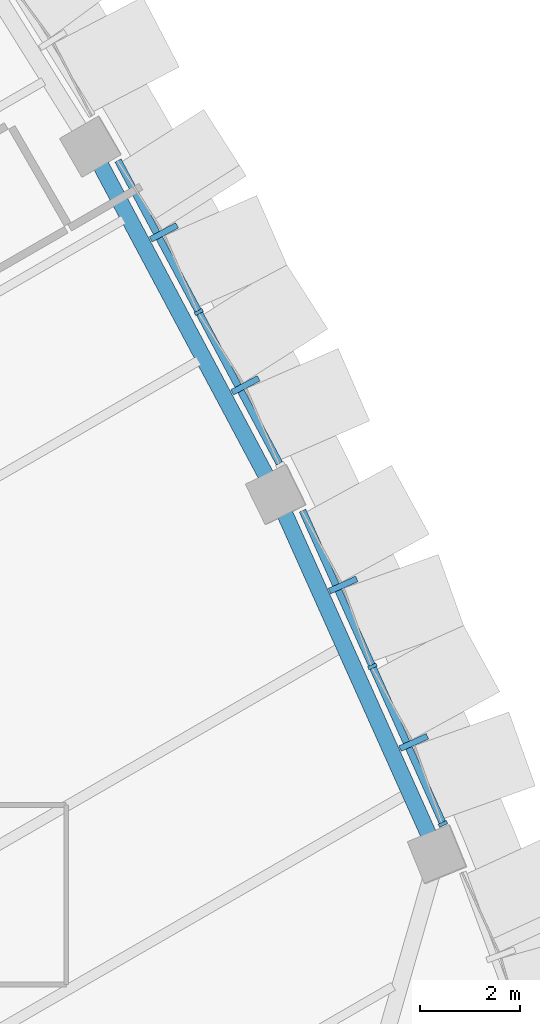
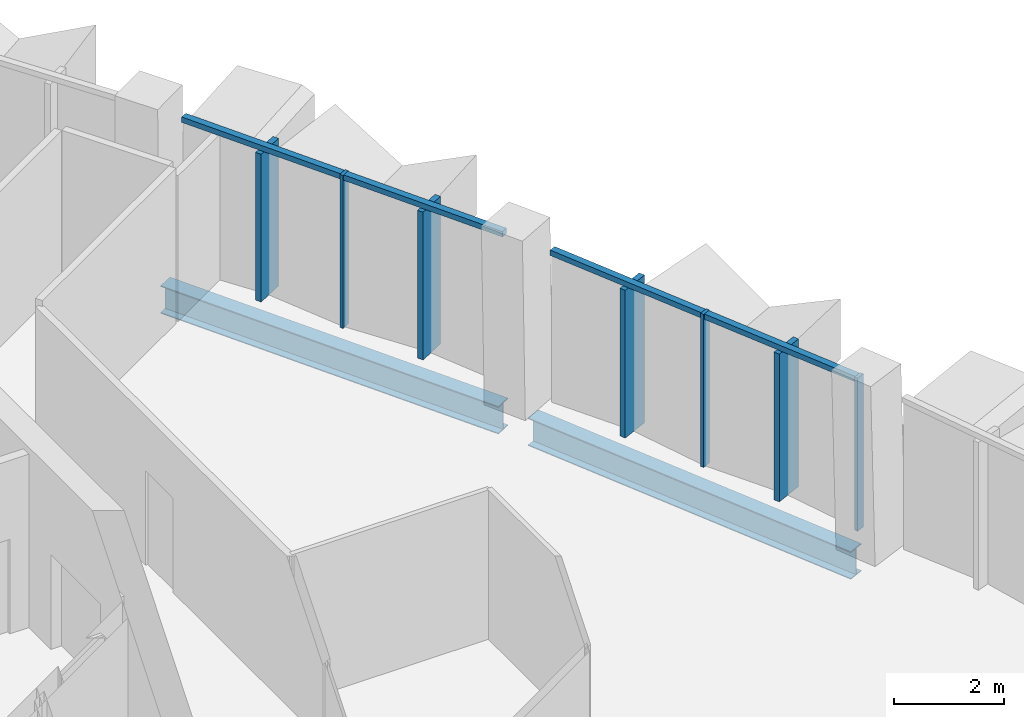
# One storey, part 5 of 22: 11 members, 2 beams, 2 elements without a shape of their own.
"""IFC4 building model written with IfcOpenShell, lengths in metres."""

import ifcopenshell
import ifcopenshell.guid

model = None  # the IFC model being written
_history = None  # IfcOwnerHistory: only IFC2X3 demands one
_inside = {}  # id of a spatial element -> (the spatial element, [elements in it])
_under = {}  # id of a project, library or spatial element -> (it, [spatial elements below it])
_declared = {}  # id of a project -> (the project, [libraries it declares])
_typed = {}  # id of a type object -> (the type object, [elements of that type])
_made_of = {}  # id of a material, layer set ... -> (it, [elements and type objects made of it])


def new_model(schema):
    """Start an empty IFC model of exactly this schema.

    Asked for "IFC4X3", IfcOpenShell would pick the latest addendum, in which some entities
    have other attributes; the version numbers below select the first issue.
    IFC2X3 requires an IfcOwnerHistory on every rooted entity: one is made here for all.
    """
    global model, _history
    if schema == "IFC4X3":
        model = ifcopenshell.file(schema_version=(4, 3, 0, 0))
    else:
        model = ifcopenshell.file(schema=schema)
    _inside.clear()
    _under.clear()
    _declared.clear()
    _typed.clear()
    _made_of.clear()
    _history = None
    if model.schema == "IFC2X3":
        org = make("IfcOrganization", Name="unknown")
        user = make(
            "IfcPersonAndOrganization",
            ThePerson=make("IfcPerson", FamilyName="unknown"),
            TheOrganization=org,
        )
        app = make(
            "IfcApplication",
            ApplicationDeveloper=org,
            Version="unknown",
            ApplicationFullName="unknown",
            ApplicationIdentifier="unknown",
        )
        _history = make(
            "IfcOwnerHistory",
            OwningUser=user,
            OwningApplication=app,
            ChangeAction="ADDED",
            CreationDate=0,
        )
    return model


def make(cls, **values):
    """One entity of the class cls with the attributes given. An attribute that is None is left unset."""
    return model.create_entity(
        cls, **{name: value for name, value in values.items() if value is not None}
    )


def rooted(cls, **values):
    """An entity with a GlobalId (a new one), such as an element, a storey or a relation."""
    return make(cls, GlobalId=ifcopenshell.guid.new(), OwnerHistory=_history, **values)


def si_unit(unit_type, name, prefix=None):
    """IfcSIUnit, for example si_unit("LENGTHUNIT", "METRE", prefix="MILLI")."""
    return make("IfcSIUnit", UnitType=unit_type, Prefix=prefix, Name=name)


def assignment(units):
    """IfcUnitAssignment: the units of a project."""
    return None if units is None else make("IfcUnitAssignment", Units=units)


def point(xyz):
    """IfcCartesianPoint."""
    return None if xyz is None else make("IfcCartesianPoint", Coordinates=xyz)


def direction(xyz):
    """IfcDirection."""
    return None if xyz is None else make("IfcDirection", DirectionRatios=xyz)


def frame(location, z_axis=None, x_axis=None):
    """IfcAxis2Placement3D, a coordinate frame: its origin and axes. An axis left out is left unset."""
    return make(
        "IfcAxis2Placement3D",
        Location=point(location),
        Axis=direction(z_axis),
        RefDirection=direction(x_axis),
    )


def frame_2d(location, x_axis=None):
    """IfcAxis2Placement2D, a coordinate frame in the plane: its origin and x axis."""
    return make(
        "IfcAxis2Placement2D", Location=point(location), RefDirection=direction(x_axis)
    )


def origin():
    """The frame at (0, 0, 0) with its axes left unset."""
    return frame((0.0, 0.0, 0.0))


def origin_2d():
    """The frame at (0, 0) in the plane with its x axis left unset."""
    return frame_2d((0.0, 0.0))


def place(relative_to, where):
    """IfcLocalPlacement: puts the frame where relative to a parent placement (None: the world)."""
    return make(
        "IfcLocalPlacement", PlacementRelTo=relative_to, RelativePlacement=where
    )


def context(
    kind, dimensions, precision=None, world=None, true_north=None, identifier=None
):
    """IfcGeometricRepresentationContext, for example the 3D "Model" context."""
    return make(
        "IfcGeometricRepresentationContext",
        ContextIdentifier=identifier,
        ContextType=kind,
        CoordinateSpaceDimension=dimensions,
        Precision=precision,
        WorldCoordinateSystem=world,
        TrueNorth=true_north,
    )


def subcontext(parent, identifier, kind, view, scale=None):
    """IfcGeometricRepresentationSubContext, for example "Body" below "Model"."""
    return make(
        "IfcGeometricRepresentationSubContext",
        ContextIdentifier=identifier,
        ContextType=kind,
        ParentContext=parent,
        TargetScale=scale,
        TargetView=view,
    )


def project(units=None, contexts=None):
    """IfcProject with its units and contexts."""
    return rooted(
        "IfcProject",
        Name="project",
        RepresentationContexts=contexts,
        UnitsInContext=assignment(units),
    )


def spatial(cls, under=None, at=None, **own):
    """A site, building, storey or space (cls), placed at a placement, below another one or the project."""
    s = rooted(cls, ObjectPlacement=at, **own)
    if under is not None:
        _under.setdefault(under.id(), (under, []))[1].append(s)
    return s


def profile(cls, at=None, kind="AREA", **sizes):
    """A parametric profile (cls). Its sizes go by their IFC names, for example OverallWidth=200.0."""
    return make(cls, ProfileType=kind, Position=at, **sizes)


def rectangle(**sizes):
    """IfcRectangleProfileDef."""
    return profile("IfcRectangleProfileDef", **sizes)


def i_section(**sizes):
    """IfcIShapeProfileDef."""
    return profile("IfcIShapeProfileDef", **sizes)


def extrude(swept, where, along, depth):
    """IfcExtrudedAreaSolid: the profile swept, set in the frame where, extruded along a direction by depth."""
    return make(
        "IfcExtrudedAreaSolid",
        SweptArea=swept,
        Position=where,
        ExtrudedDirection=direction(along),
        Depth=depth,
    )


def shape(context_of_items, identifier, shape_type, items):
    """IfcShapeRepresentation: the items that make up one representation, for example the "Body"."""
    return make(
        "IfcShapeRepresentation",
        ContextOfItems=context_of_items,
        RepresentationIdentifier=identifier,
        RepresentationType=shape_type,
        Items=items,
    )


def material(Name=None, Category=None):
    """IfcMaterial."""
    return make("IfcMaterial", Name=Name, Category=Category)


def layer(
    of_material, thickness, ventilated=None, Name=None, Category=None, Priority=None
):
    """IfcMaterialLayer: one layer of a wall or slab, of a material (None: an air gap)."""
    return make(
        "IfcMaterialLayer",
        Material=of_material,
        LayerThickness=thickness,
        IsVentilated=ventilated,
        Name=Name,
        Category=Category,
        Priority=Priority,
    )


def layer_set(layers, Name=None):
    """IfcMaterialLayerSet."""
    return make("IfcMaterialLayerSet", MaterialLayers=layers, LayerSetName=Name)


def material_profile(
    of_material, cross_section, Name=None, Category=None, Priority=None
):
    """IfcMaterialProfile: a cross section and its material."""
    return make(
        "IfcMaterialProfile",
        Name=Name,
        Material=of_material,
        Profile=cross_section,
        Priority=Priority,
        Category=Category,
    )


def profile_set(profiles, Name=None, composite=None):
    """IfcMaterialProfileSet."""
    return make(
        "IfcMaterialProfileSet",
        Name=Name,
        MaterialProfiles=profiles,
        CompositeProfile=composite,
    )


def made_of(thing, what):
    """Note that an element or type object is made of a material, layer set ...; save() writes the relation."""
    if what is not None:
        _made_of.setdefault(what.id(), (what, []))[1].append(thing)
    return thing


def type_object(cls, material=None, **own):
    """A type object (cls), such as IfcWallType, which elements share."""
    return made_of(rooted(cls, **own), material)


def element(
    cls,
    number,
    at=None,
    inside=None,
    cuts=None,
    type_object=None,
    material=None,
    context=None,
    identifier="Body",
    shape_type=None,
    held_by="IfcProductDefinitionShape",
    body=None,
    shapes=None,
    **own,
):
    """One element of the class cls, such as IfcWall. Its Tag is "e" and its number.

    at: its placement. inside: the storey or other place that contains it. cuts: it is an
    opening in that element (IfcRelVoidsElement). A single representation is given by context,
    identifier, shape_type and body (its items); several are given by shapes. held_by: the class
    of the entity that holds the representations. save() writes the other relations.
    """
    e = rooted(cls, Tag="e%d" % number, ObjectPlacement=at, **own)
    if body is not None:
        shapes = [shape(context, identifier, shape_type, body)]
    if shapes is not None:
        e.Representation = make(held_by, Representations=shapes)
    if inside is not None:
        _inside.setdefault(inside.id(), (inside, []))[1].append(e)
    if cuts is not None:
        rooted(
            "IfcRelVoidsElement", RelatingBuildingElement=cuts, RelatedOpeningElement=e
        )
    if type_object is not None:
        _typed.setdefault(type_object.id(), (type_object, []))[1].append(e)
    return made_of(e, material)


def aggregate(whole, parts):
    """IfcRelAggregates: a whole, such as a stair, and the parts it consists of."""
    return rooted("IfcRelAggregates", RelatingObject=whole, RelatedObjects=parts)


def save(model, path):
    """Write the relations noted so far, then the file.

    IfcRelAggregates (storeys below a building ...), IfcRelContainedInSpatialStructure (elements
    in a storey), IfcRelDefinesByType, IfcRelAssociatesMaterial and IfcRelDeclares: one each for
    every whole, place, type object, material and project.
    """
    for whole, parts in _under.values():
        aggregate(whole, parts)
    for where, things in _inside.values():
        rooted(
            "IfcRelContainedInSpatialStructure",
            RelatedElements=things,
            RelatingStructure=where,
        )
    for kind, things in _typed.values():
        rooted("IfcRelDefinesByType", RelatedObjects=things, RelatingType=kind)
    for what, things in _made_of.values():
        rooted("IfcRelAssociatesMaterial", RelatedObjects=things, RelatingMaterial=what)
    for by, libraries in _declared.values():
        rooted("IfcRelDeclares", RelatingContext=by, RelatedDefinitions=libraries)
    model.write(path)


model = new_model("IFC4")

# Units and contexts
model_context = context("Model", 3, precision=1e-05, world=origin(), true_north=direction((0.0, 1.0)))
body_context = subcontext(model_context, "Body", "Model", "MODEL_VIEW")
ifc_project = project(units=[si_unit("LENGTHUNIT", "METRE"), si_unit("AREAUNIT", "SQUARE_METRE"), si_unit("VOLUMEUNIT", "CUBIC_METRE"), si_unit("PLANEANGLEUNIT", "RADIAN"), si_unit("MASSUNIT", "GRAM", prefix="KILO")], contexts=[model_context])

# Site, building, storey
site_placement = place(None, origin())
site = spatial("IfcSite", under=ifc_project, at=site_placement, CompositionType="ELEMENT")
building_placement = place(site_placement, origin())
building = spatial("IfcBuilding", under=site, at=building_placement, Name="Sierra Prisma Convention Tower", CompositionType="ELEMENT")
storey_placement = place(building_placement, frame((0.0, 0.0, 227.0)))
storey = spatial("IfcBuildingStorey", under=building, at=storey_placement, Name="L50", CompositionType="ELEMENT", Elevation=227.0)

# Curtain wall, members
ifc_material_1 = material(Name="Aluminium and glass curtain wall", Category="aluminium")
ifc_layer = layer(ifc_material_1, 0.179931640625)
ifc_layer_set = layer_set([ifc_layer], Name="CW-2 Faceted crystal curtain wall")
curtain_wall_type = type_object("IfcCurtainWallType", Name="CW-2 Faceted crystal curtain wall", PredefinedType="NOTDEFINED", material=ifc_layer_set)
curtain_wall_1_placement = place(storey_placement, origin())
curtain_wall_1 = element("IfcCurtainWall", 1, at=curtain_wall_1_placement, inside=storey, type_object=curtain_wall_type, Name="CW-2 NE2 L50", PredefinedType="NOTDEFINED")
ifc_material_2 = material(Name="Aluminium 6063-T6 bronze anodised", Category="aluminium")
ifc_material_profile_1 = material_profile(ifc_material_2, rectangle(XDim=0.1201171875, YDim=0.60009765625, at=origin_2d()), Name="ALU RIDGE BLADE 120x600")
ifc_profile_set_1 = profile_set([ifc_material_profile_1], Name="Aluminium 6063-T6 bronze anodised")
member_type_1 = type_object("IfcMemberType", Name="CW hip bronze", PredefinedType="MULLION", material=ifc_profile_set_1)
member_1_placement = place(storey_placement, frame((24.562255859375, -1.496826171875, 0.0), z_axis=(0.0, 0.0, 1.0), x_axis=(-0.409089155157, 0.912494418138, 0.0)))
member_1 = element("IfcMember", 2, at=member_1_placement, type_object=member_type_1, Name="CW-2 ridge NE2.1", PredefinedType="MULLION", context=body_context, shape_type="SweptSolid", body=[
    extrude(rectangle(XDim=0.1201171875, YDim=0.60009765625, at=origin_2d()), origin(), (0.0, 0.0, 1.0), 3.280029296875),
])
member_2_placement = place(storey_placement, frame((23.148193359375, 1.657470703125, 0.0), z_axis=(0.0, 0.0, 1.0), x_axis=(-0.409089155157, 0.912494418138, 0.0)))
member_2 = element("IfcMember", 3, at=member_2_placement, type_object=member_type_1, Name="CW-2 ridge NE2.2", PredefinedType="MULLION", context=body_context, shape_type="SweptSolid", body=[
    extrude(rectangle(XDim=0.1201171875, YDim=0.60009765625, at=origin_2d()), origin(), (0.0, 0.0, 1.0), 3.280029296875),
])

curtain_wall_2_placement = place(storey_placement, origin())
curtain_wall_2 = element("IfcCurtainWall", 4, at=curtain_wall_2_placement, inside=storey, type_object=curtain_wall_type, Name="CW-2 NE3 L50", PredefinedType="NOTDEFINED")
member_3_placement = place(storey_placement, frame((21.18896484375, 5.656982421875, 0.0), z_axis=(0.0, 0.0, 1.0), x_axis=(-0.470229731402, 0.882544049725, 0.0)))
member_3 = element("IfcMember", 5, at=member_3_placement, type_object=member_type_1, Name="CW-2 ridge NE3.1", PredefinedType="MULLION", context=body_context, shape_type="SweptSolid", body=[
    extrude(rectangle(XDim=0.1201171875, YDim=0.60009765625, at=origin_2d()), origin(), (0.0, 0.0, 1.0), 3.280029296875),
])
member_4_placement = place(storey_placement, frame((19.555908203125, 8.7216796875, 0.0), z_axis=(0.0, 0.0, 1.0), x_axis=(-0.470229731402, 0.882544049725, 0.0)))
member_4 = element("IfcMember", 6, at=member_4_placement, type_object=member_type_1, Name="CW-2 ridge NE3.2", PredefinedType="MULLION", context=body_context, shape_type="SweptSolid", body=[
    extrude(rectangle(XDim=0.1201171875, YDim=0.60009765625, at=origin_2d()), origin(), (0.0, 0.0, 1.0), 3.280029296875),
])

# Member
ifc_material_3 = material(Name="Aluminium 6063-T6 bronze anodised", Category="aluminium")
ifc_material_profile_2 = material_profile(ifc_material_3, rectangle(XDim=0.179931640625, YDim=0.070068359375, at=origin_2d()), Name="ALU MULLION 70x180")
ifc_profile_set_2 = profile_set([ifc_material_profile_2], Name="Aluminium 6063-T6 bronze anodised")
member_type_2 = type_object("IfcMemberType", Name="CW mullion bronze", PredefinedType="MULLION", material=ifc_profile_set_2)
member_5_placement = place(storey_placement, frame((25.147705078125, -3.128662109375, 0.0), z_axis=(0.0, 0.0, 1.0), x_axis=(-0.912494418138, -0.409089155157, 0.0)))
member_5 = element("IfcMember", 7, at=member_5_placement, type_object=member_type_2, Name="CW-1 mullion NE2.1", PredefinedType="MULLION", context=body_context, shape_type="SweptSolid", body=[
    extrude(rectangle(XDim=0.179931640625, YDim=0.070068359375, at=origin_2d()), origin(), (0.0, 0.0, 1.0), 3.39990234375),
])

member_6_placement = place(storey_placement, frame((23.733642578125, 0.025634765625, 0.0), z_axis=(0.0, 0.0, 1.0), x_axis=(-0.912494418138, -0.409089155157, 0.0)))
member_6 = element("IfcMember", 8, at=member_6_placement, type_object=member_type_2, Name="CW-1 mullion NE2.2", PredefinedType="MULLION", context=body_context, shape_type="SweptSolid", body=[
    extrude(rectangle(XDim=0.179931640625, YDim=0.070068359375, at=origin_2d()), origin(), (0.0, 0.0, 1.0), 3.39990234375),
])

member_7_placement = place(storey_placement, frame((20.254150390625, 7.12646484375, 0.0), z_axis=(0.0, 0.0, 1.0), x_axis=(-0.882544049725, -0.470229731402, 0.0)))
member_7 = element("IfcMember", 9, at=member_7_placement, type_object=member_type_2, Name="CW-1 mullion NE3.2", PredefinedType="MULLION", context=body_context, shape_type="SweptSolid", body=[
    extrude(rectangle(XDim=0.179931640625, YDim=0.070068359375, at=origin_2d()), origin(), (0.0, 0.0, 1.0), 3.39990234375),
])

ifc_material_4 = material(Name="Aluminium 6063-T6 bronze anodised", Category="aluminium")
ifc_material_profile_3 = material_profile(ifc_material_4, rectangle(XDim=0.139892578125, YDim=0.1201171875, at=origin_2d()), Name="ALU TRANSOM 120x140")
ifc_profile_set_3 = profile_set([ifc_material_profile_3], Name="Aluminium 6063-T6 bronze anodised")
member_type_3 = type_object("IfcMemberType", Name="CW transom bronze", PredefinedType="USERDEFINED", material=ifc_profile_set_3)
member_8_placement = place(storey_placement, frame((25.133544921875, -3.0966796875, 3.340087890625), z_axis=(-0.40913247993, 0.912474993557, 0.0), x_axis=(-0.912474993557, -0.40913247993, 0.0)))
member_8 = element("IfcMember", 10, at=member_8_placement, type_object=member_type_3, Name="CW-1 transom NE2.1", ObjectType="TRANSOM", PredefinedType="USERDEFINED", context=body_context, shape_type="SweptSolid", body=[
    extrude(rectangle(XDim=0.139892578125, YDim=0.1201171875, at=origin_2d()), origin(), (0.0, 0.0, 1.0), 3.386962890625),
])

member_9_placement = place(storey_placement, frame((23.71923828125, 0.0576171875, 3.340087890625), z_axis=(-0.409072461763, 0.912501901931, 0.0), x_axis=(-0.912501901931, -0.409072461763, 0.0)))
member_9 = element("IfcMember", 11, at=member_9_placement, type_object=member_type_3, Name="CW-1 transom NE2.2", ObjectType="TRANSOM", PredefinedType="USERDEFINED", context=body_context, shape_type="SweptSolid", body=[
    extrude(rectangle(XDim=0.139892578125, YDim=0.1201171875, at=origin_2d()), origin(), (0.0, 0.0, 1.0), 3.386962890625),
])

aggregate(curtain_wall_1, [member_5, member_6, member_8, member_1, member_9, member_2])

member_10_placement = place(storey_placement, frame((21.870849609375, 4.09228515625, 3.340087890625), z_axis=(-0.470223258663, 0.882547498446, 0.0), x_axis=(-0.882547498446, -0.470223258663, 0.0)))
member_10 = element("IfcMember", 12, at=member_10_placement, type_object=member_type_3, Name="CW-1 transom NE3.1", ObjectType="TRANSOM", PredefinedType="USERDEFINED", context=body_context, shape_type="SweptSolid", body=[
    extrude(rectangle(XDim=0.139892578125, YDim=0.1201171875, at=origin_2d()), origin(), (0.0, 0.0, 1.0), 3.40283203125),
])

member_11_placement = place(storey_placement, frame((20.23779296875, 7.1572265625, 3.340087890625), z_axis=(-0.470223258663, 0.882547498446, 0.0), x_axis=(-0.882547498446, -0.470223258663, 0.0)))
member_11 = element("IfcMember", 13, at=member_11_placement, type_object=member_type_3, Name="CW-1 transom NE3.2", ObjectType="TRANSOM", PredefinedType="USERDEFINED", context=body_context, shape_type="SweptSolid", body=[
    extrude(rectangle(XDim=0.139892578125, YDim=0.1201171875, at=origin_2d()), origin(), (0.0, 0.0, 1.0), 3.40283203125),
])

aggregate(curtain_wall_2, [member_7, member_10, member_3, member_11, member_4])

# Beams
ifc_material_5 = material(Name="Steel ASTM A992 Gr 50", Category="steel")
ifc_material_profile_4 = material_profile(ifc_material_5, i_section(OverallWidth=0.324951171875, OverallDepth=0.615966796875, WebThickness=0.013916015625, FlangeThickness=0.021484375, at=origin_2d()), Name="W610x174")
ifc_profile_set_4 = profile_set([ifc_material_profile_4], Name="Steel ASTM A992 Gr 50")
beam_type = type_object("IfcBeamType", Name="Spandrel beam W610x174", PredefinedType="BEAM", material=ifc_profile_set_4)
beam_1_placement = place(storey_placement, frame((24.905029296875, -3.442138671875, -0.4580078125), z_axis=(-0.409091712406, 0.912493271669, 0.0), x_axis=(-0.912493271669, -0.409091712406, 0.0)))
element("IfcBeam", 14, at=beam_1_placement, inside=storey, type_object=beam_type, Name="Spandrel L50-08", PredefinedType="BEAM", context=body_context, shape_type="SweptSolid", body=[
    extrude(i_section(OverallWidth=0.324951171875, OverallDepth=0.615966796875, WebThickness=0.013916015625, FlangeThickness=0.021484375, at=origin_2d()), origin(), (0.0, 0.0, 1.0), 7.2431640625),
])
beam_2_placement = place(storey_placement, frame((21.6513671875, 3.76025390625, -0.4580078125), z_axis=(-0.470226065146, 0.882546003139, 0.0), x_axis=(-0.882546003139, -0.470226065146, 0.0)))
element("IfcBeam", 15, at=beam_2_placement, inside=storey, type_object=beam_type, Name="Spandrel L50-09", PredefinedType="BEAM", context=body_context, shape_type="SweptSolid", body=[
    extrude(i_section(OverallWidth=0.324951171875, OverallDepth=0.615966796875, WebThickness=0.013916015625, FlangeThickness=0.021484375, at=origin_2d()), origin(), (0.0, 0.0, 1.0), 7.243408203125),
])

save(model, "model.ifc")
